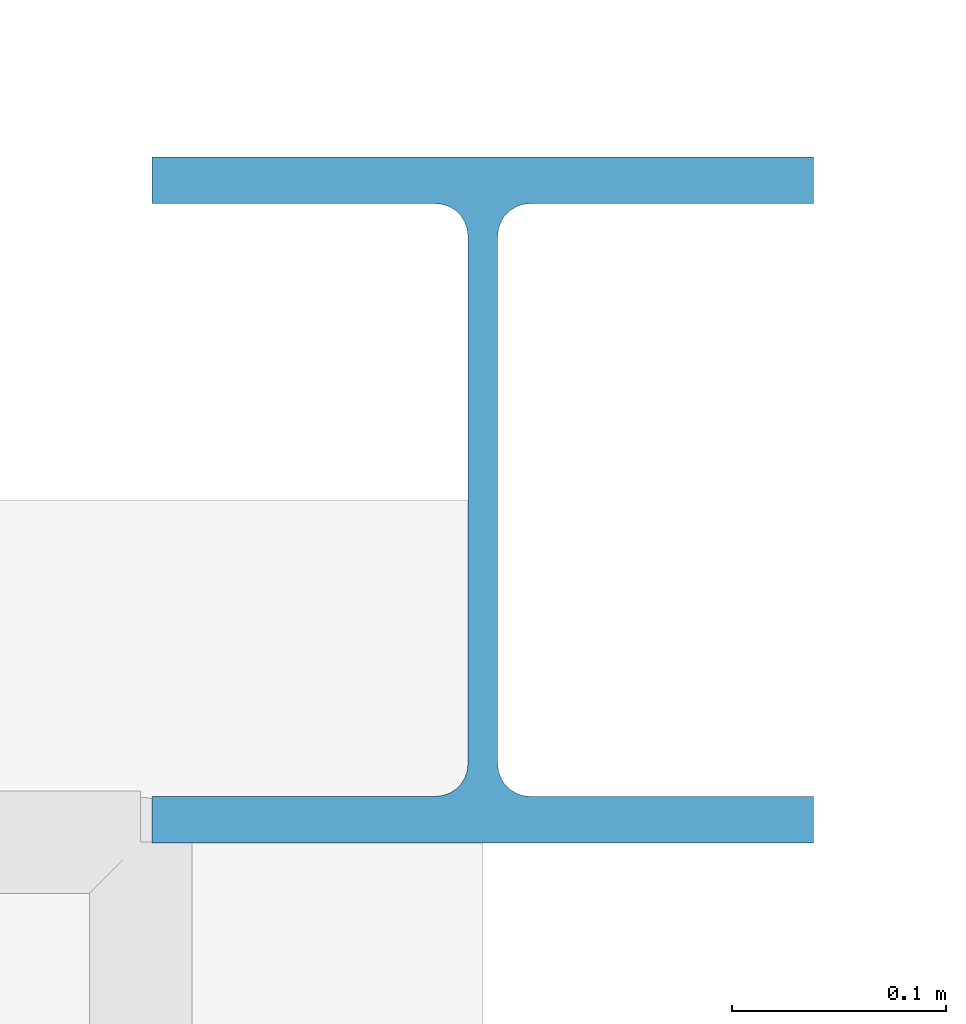
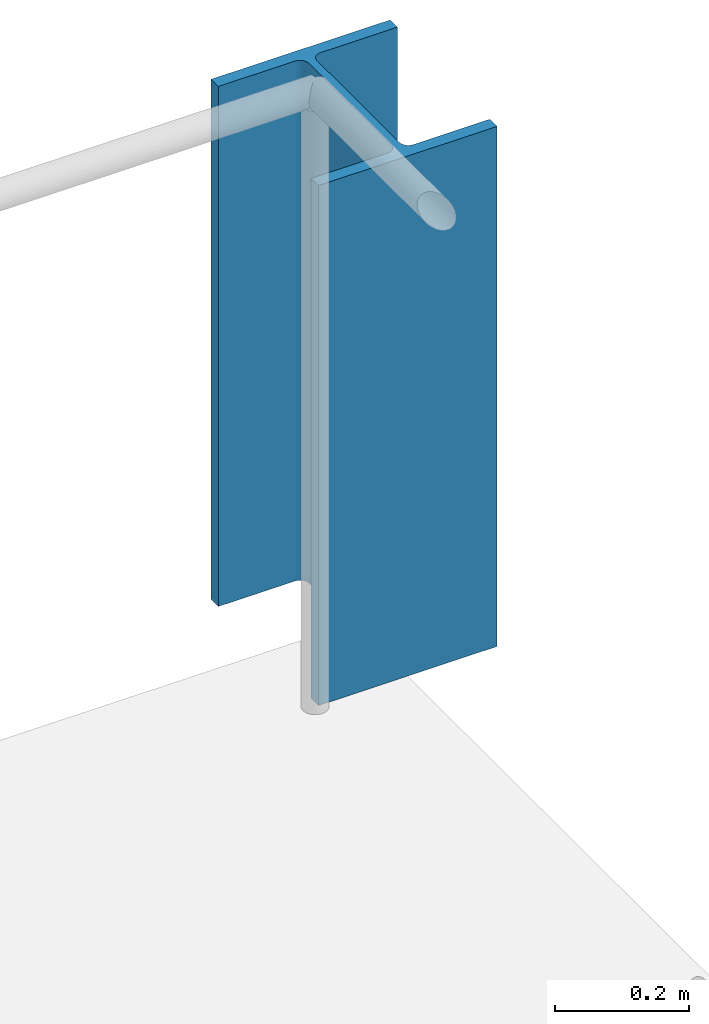
# One storey, part 2 of 33: 1 column.
"""IFC4 building model written with IfcOpenShell, lengths in metres."""

from ifc_helpers import new_model, si_unit, direction, frame, origin, origin_2d, place, context, subcontext, project, spatial, i_section, extrude, material, material_profile, profile_set, type_object, element, save


model = new_model("IFC4")

# Units and contexts
model_context = context("Model", 3, precision=1e-05, world=origin(), true_north=direction((0.0, 1.0)))
body_context = subcontext(model_context, "Body", "Model", "MODEL_VIEW")
ifc_project = project(units=[si_unit("LENGTHUNIT", "METRE"), si_unit("AREAUNIT", "SQUARE_METRE"), si_unit("VOLUMEUNIT", "CUBIC_METRE"), si_unit("PLANEANGLEUNIT", "RADIAN"), si_unit("MASSUNIT", "GRAM", prefix="KILO")], contexts=[model_context])

# Site, building, storey
site_placement = place(None, origin())
site = spatial("IfcSite", under=ifc_project, at=site_placement, CompositionType="ELEMENT")
building_placement = place(site_placement, origin())
building = spatial("IfcBuilding", under=site, at=building_placement, Name="Larkveld Mobility Hub", CompositionType="ELEMENT")
storey_placement = place(building_placement, frame((0.0, 0.0, 15.60009765625)))
storey = spatial("IfcBuildingStorey", under=building, at=storey_placement, Name="L04", CompositionType="ELEMENT", Elevation=15.60009765625)

# Column
ifc_material = material(Name="Steel S355JR", Category="steel")
ifc_material_profile = material_profile(ifc_material, i_section(OverallWidth=0.30908203125, OverallDepth=0.320556640625, WebThickness=0.013916015625, FlangeThickness=0.021728515625, FilletRadius=0.01513671875, at=origin_2d()), Name="UC 305x305x137")
ifc_profile_set = profile_set([ifc_material_profile], Name="Steel S355JR")
column_type = type_object("IfcColumnType", Name="CL-STUC305", PredefinedType="COLUMN", material=ifc_profile_set)
column_placement = place(storey_placement, frame((152.0, 98.0, 0.0), z_axis=(0.0, 0.0, 1.0), x_axis=(1.0, 0.0, 0.0)))
element("IfcColumn", 1, at=column_placement, inside=storey, type_object=column_type, Name="Sawtooth West Truss Post B6-W", PredefinedType="COLUMN", context=body_context, shape_type="SweptSolid", body=[
    extrude(i_section(OverallWidth=0.30908203125, OverallDepth=0.320556640625, WebThickness=0.013916015625, FlangeThickness=0.021728515625, FilletRadius=0.01513671875, at=origin_2d()), origin(), (0.0, 0.0, 1.0), 0.949951171875),
])

save(model, "model.ifc")
